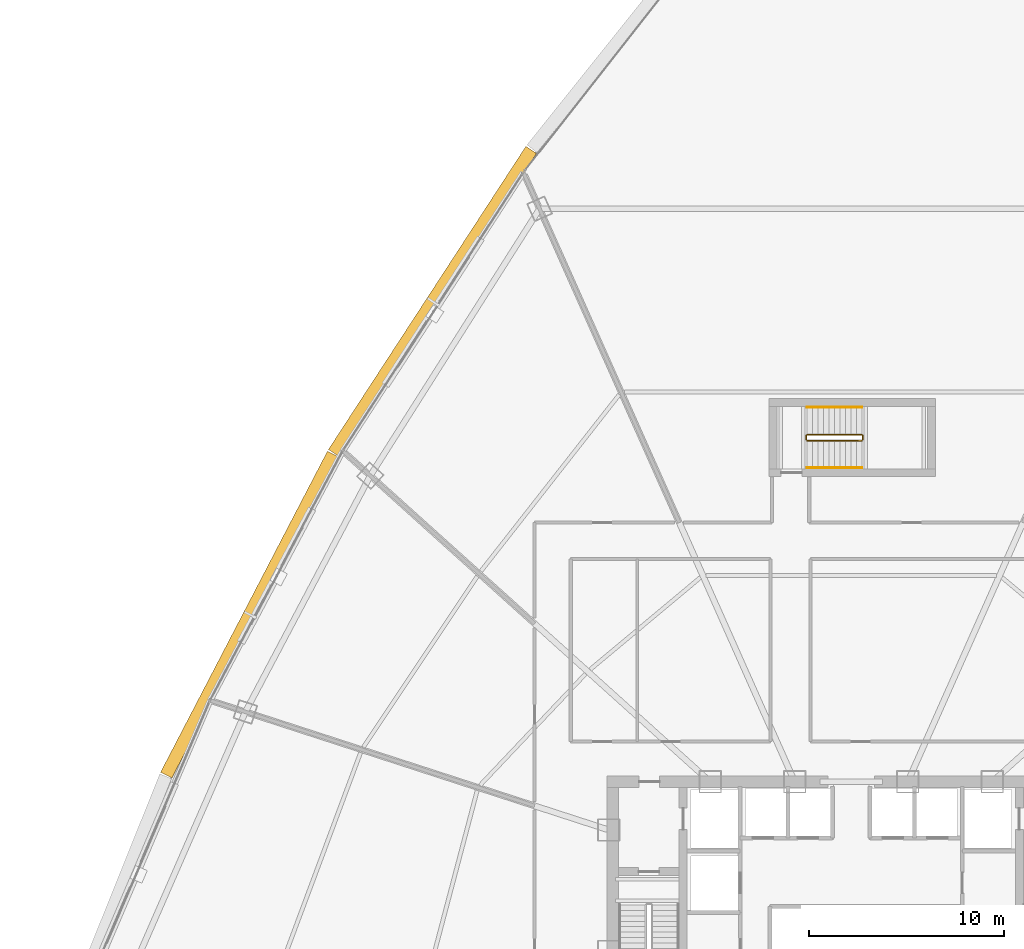
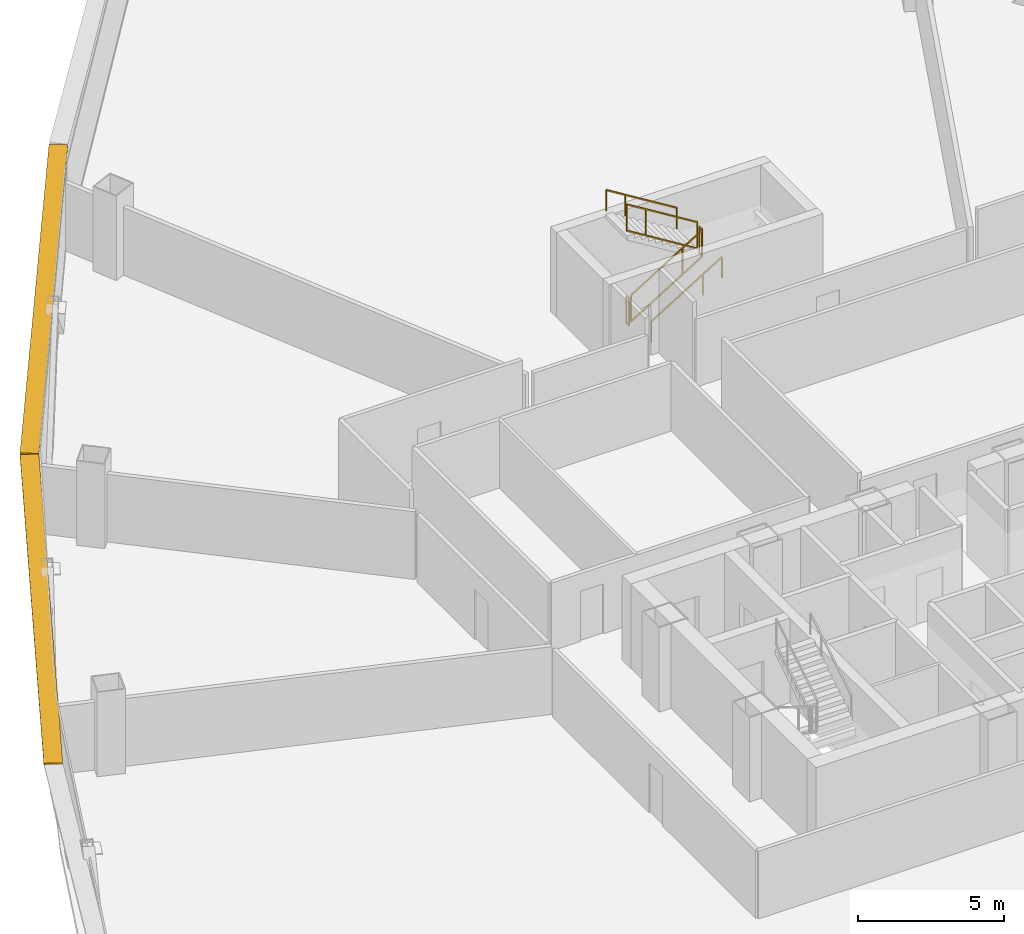
# One storey, part 38 of 39: 6 railings, 2 shading devices.
"""IFC4 building model written with IfcOpenShell, lengths in metres."""

from ifc_helpers import new_model, si_unit, direction, frame, origin, origin_2d, place, context, subcontext, project, spatial, rectangle, extrude, source, transform, mapped, material, layer, layer_set, type_object, element, save


model = new_model("IFC4")

# Units and contexts
model_context = context("Model", 3, precision=1e-05, world=origin(), true_north=direction((0.0, 1.0)))
body_context = subcontext(model_context, "Body", "Model", "MODEL_VIEW")
ifc_project = project(units=[si_unit("LENGTHUNIT", "METRE"), si_unit("AREAUNIT", "SQUARE_METRE"), si_unit("VOLUMEUNIT", "CUBIC_METRE"), si_unit("PLANEANGLEUNIT", "RADIAN"), si_unit("MASSUNIT", "GRAM", prefix="KILO"), si_unit("THERMODYNAMICTEMPERATUREUNIT", "KELVIN"), si_unit("POWERUNIT", "WATT")], contexts=[model_context])

# Site, building, storey
site_placement = place(None, origin())
site = spatial("IfcSite", under=ifc_project, at=site_placement, CompositionType="ELEMENT")
building_placement = place(site_placement, origin())
building = spatial("IfcBuilding", under=site, at=building_placement, Name="Yunzhuo Pagoda Commons", CompositionType="ELEMENT")
storey_placement = place(building_placement, frame((0.0, 0.0, 100.179931640625)))
storey = spatial("IfcBuildingStorey", under=building, at=storey_placement, Name="L25", CompositionType="ELEMENT", Elevation=100.179931640625)

# Railings
ifc_material = material(Name="Anodized aluminium 6063-T6", Category="aluminium")
railing_type_1 = type_object("IfcRailingType", Name="GR-ST3 North Well Guardrail 1155", PredefinedType="GUARDRAIL", material=ifc_material)
railing_1_placement = place(storey_placement, frame((45.75, 57.64990234375, 0.1728515625)))
element("IfcRailing", 1, at=railing_1_placement, inside=storey, type_object=railing_type_1, Name="L25 ST3 stair guard 1", PredefinedType="GUARDRAIL", context=body_context, shape_type="SweptSolid", body=[
    extrude(rectangle(XDim=0.048095703125, YDim=0.048095703125, at=origin_2d()), frame((0.0, 0.0, 1.1259765625), z_axis=(0.851089632645, 0.0, 0.525020415988), x_axis=(0.0, 1.0, 0.0)), (0.0, 0.0, 1.0), 3.2900390625),
    extrude(rectangle(XDim=0.048095703125, YDim=0.048095703125, at=origin_2d()), frame((0.0, 0.0, 0.02392578125), z_axis=(0.851089632645, 0.0, 0.525020415988), x_axis=(0.0, 1.0, 0.0)), (0.0, 0.0, 1.0), 3.2900390625),
    extrude(rectangle(XDim=0.0419921875, YDim=0.0419921875, at=origin_2d()), origin(), (0.0, 0.0, 1.0), 1.101806640625),
    extrude(rectangle(XDim=0.0419921875, YDim=0.0419921875, at=origin_2d()), frame((2.042724609375, 0.0, 1.260009765625)), (0.0, 0.0, 1.0), 1.101806640625),
    extrude(rectangle(XDim=0.0419921875, YDim=0.0419921875, at=origin_2d()), frame((2.800048828125, 0.0, 1.727294921875)), (0.0, 0.0, 1.0), 1.101806640625),
])
railing_2_placement = place(storey_placement, frame((48.60009765625, 57.699951171875, 1.900146484375)))
element("IfcRailing", 2, at=railing_2_placement, inside=storey, type_object=railing_type_1, Name="L25 ST3 stair guard 2", PredefinedType="GUARDRAIL", context=body_context, shape_type="SweptSolid", body=[
    extrude(rectangle(XDim=0.048095703125, YDim=0.048095703125, at=origin_2d()), frame((0.0, 0.0, 1.1259765625), z_axis=(0.0, 1.0, 0.0), x_axis=(-1.0, 0.0, 0.0)), (0.0, 0.0, 1.0), 0.199951171875),
    extrude(rectangle(XDim=0.048095703125, YDim=0.048095703125, at=origin_2d()), frame((0.0, 0.0, 0.02392578125), z_axis=(0.0, 1.0, 0.0), x_axis=(-1.0, 0.0, 0.0)), (0.0, 0.0, 1.0), 0.199951171875),
    extrude(rectangle(XDim=0.0419921875, YDim=0.0419921875, at=origin_2d()), origin(), (0.0, 0.0, 1.0), 1.101806640625),
    extrude(rectangle(XDim=0.0419921875, YDim=0.0419921875, at=origin_2d()), frame((0.0, 0.199951171875, 0.0)), (0.0, 0.0, 1.0), 1.101806640625),
])
railing_3_placement = place(storey_placement, frame((48.550048828125, 57.949951171875, 2.07275390625)))
element("IfcRailing", 3, at=railing_3_placement, inside=storey, type_object=railing_type_1, Name="L25 ST3 stair guard 3", PredefinedType="GUARDRAIL", context=body_context, shape_type="SweptSolid", body=[
    extrude(rectangle(XDim=0.048095703125, YDim=0.048095703125, at=origin_2d()), frame((0.0, 0.0, 1.1259765625), z_axis=(-0.851089632645, 0.0, 0.525020415988), x_axis=(0.0, -1.0, 0.0)), (0.0, 0.0, 1.0), 3.2900390625),
    extrude(rectangle(XDim=0.048095703125, YDim=0.048095703125, at=origin_2d()), frame((0.0, 0.0, 0.02392578125), z_axis=(-0.851089632645, 0.0, 0.525020415988), x_axis=(0.0, -1.0, 0.0)), (0.0, 0.0, 1.0), 3.2900390625),
    extrude(rectangle(XDim=0.0419921875, YDim=0.0419921875, at=origin_2d()), origin(), (0.0, 0.0, 1.0), 1.101806640625),
    extrude(rectangle(XDim=0.0419921875, YDim=0.0419921875, at=origin_2d()), frame((-2.042724609375, 0.0, 1.260009765625)), (0.0, 0.0, 1.0), 1.101806640625),
    extrude(rectangle(XDim=0.0419921875, YDim=0.0419921875, at=origin_2d()), frame((-2.800048828125, 0.0, 1.727294921875)), (0.0, 0.0, 1.0), 1.101806640625),
])
railing_4_placement = place(storey_placement, frame((45.699951171875, 57.699951171875, 0.0)))
element("IfcRailing", 4, at=railing_4_placement, inside=storey, type_object=railing_type_1, Name="L25 ST3 stair guard 4", PredefinedType="GUARDRAIL", context=body_context, shape_type="SweptSolid", body=[
    extrude(rectangle(XDim=0.048095703125, YDim=0.048095703125, at=origin_2d()), frame((0.0, 0.0, 1.1259765625), z_axis=(0.0, 1.0, 0.0), x_axis=(-1.0, 0.0, 0.0)), (0.0, 0.0, 1.0), 0.199951171875),
    extrude(rectangle(XDim=0.048095703125, YDim=0.048095703125, at=origin_2d()), frame((0.0, 0.0, 0.02392578125), z_axis=(0.0, 1.0, 0.0), x_axis=(-1.0, 0.0, 0.0)), (0.0, 0.0, 1.0), 0.199951171875),
    extrude(rectangle(XDim=0.0419921875, YDim=0.0419921875, at=origin_2d()), origin(), (0.0, 0.0, 1.0), 1.101806640625),
    extrude(rectangle(XDim=0.0419921875, YDim=0.0419921875, at=origin_2d()), frame((0.0, 0.199951171875, 0.0)), (0.0, 0.0, 1.0), 1.101806640625),
])
railing_type_2 = type_object("IfcRailingType", Name="HR-ST3 North Stair Handrail 900", PredefinedType="HANDRAIL", material=ifc_material)
railing_5_placement = place(storey_placement, frame((45.75, 56.25, 0.1728515625)))
element("IfcRailing", 5, at=railing_5_placement, inside=storey, type_object=railing_type_2, Name="L25 ST3 stair handrail 1", PredefinedType="HANDRAIL", context=body_context, shape_type="SweptSolid", body=[
    extrude(rectangle(XDim=0.048095703125, YDim=0.048095703125, at=origin_2d()), frame((0.0, 0.0, 0.8759765625), z_axis=(0.851089632645, 0.0, 0.525020415988), x_axis=(0.0, 1.0, 0.0)), (0.0, 0.0, 1.0), 3.2900390625),
    extrude(rectangle(XDim=0.0419921875, YDim=0.0419921875, at=origin_2d()), origin(), (0.0, 0.0, 1.0), 0.851806640625),
    extrude(rectangle(XDim=0.0419921875, YDim=0.0419921875, at=origin_2d()), frame((2.042724609375, 0.0, 1.260009765625)), (0.0, 0.0, 1.0), 0.851806640625),
    extrude(rectangle(XDim=0.0419921875, YDim=0.0419921875, at=origin_2d()), frame((2.800048828125, 0.0, 1.727294921875)), (0.0, 0.0, 1.0), 0.851806640625),
])
railing_6_placement = place(storey_placement, frame((48.550048828125, 59.35009765625, 2.07275390625)))
element("IfcRailing", 6, at=railing_6_placement, inside=storey, type_object=railing_type_2, Name="L25 ST3 stair handrail 2", PredefinedType="HANDRAIL", context=body_context, shape_type="SweptSolid", body=[
    extrude(rectangle(XDim=0.048095703125, YDim=0.048095703125, at=origin_2d()), frame((0.0, 0.0, 0.8759765625), z_axis=(-0.851089632645, 0.0, 0.525020415988), x_axis=(0.0, -1.0, 0.0)), (0.0, 0.0, 1.0), 3.2900390625),
    extrude(rectangle(XDim=0.0419921875, YDim=0.0419921875, at=origin_2d()), origin(), (0.0, 0.0, 1.0), 0.851806640625),
    extrude(rectangle(XDim=0.0419921875, YDim=0.0419921875, at=origin_2d()), frame((-2.042724609375, 0.0, 1.260009765625)), (0.0, 0.0, 1.0), 0.851806640625),
    extrude(rectangle(XDim=0.0419921875, YDim=0.0419921875, at=origin_2d()), frame((-2.800048828125, 0.0, 1.727294921875)), (0.0, 0.0, 1.0), 0.851806640625),
])

# Shading devices
ifc_layer = layer(ifc_material, 0.080078125)
ifc_layer_set = layer_set([ifc_layer], Name="Anodized aluminium 6063-T6")
shading_device_type = type_object("IfcShadingDeviceType", Name="SH-SUN1 Pagoda Horizontal Sunshade Eave 650", PredefinedType="USERDEFINED", material=ifc_layer_set)
shared_shape = source(origin(), body_context, "Body", "SweptSolid", [
    extrude(rectangle(XDim=18.509521484375, YDim=0.64990234375, at=origin_2d()), origin(), (0.0, 0.0, 1.0), 0.080078125),
])
for number, where, z_axis, x_axis, name in (
    (7, (26.578857421875, 64.768798828125, 3.4599609375), (0.0, 0.0, 1.0), (-0.545838756973, -0.837890238269, 0.0), "L25 horizontal pagoda sunshade eave F3.2"),
    (8, (17.226806640625, 48.748046875, 3.4599609375), (0.0, 0.0, 1.0), (-0.461206683033, -0.88729273384, 0.0), "L25 horizontal pagoda sunshade eave F3.3"),
):
    element("IfcShadingDevice", number, at=place(storey_placement, frame(where, z_axis=z_axis, x_axis=x_axis)), inside=storey, type_object=shading_device_type, Name=name, ObjectType="SUNSHADE", PredefinedType="USERDEFINED", context=body_context, shape_type="MappedRepresentation", body=[
        mapped(shared_shape, transform((0.0, 0.0, 0.0), scale=1.0)),
    ])

save(model, "model.ifc")
